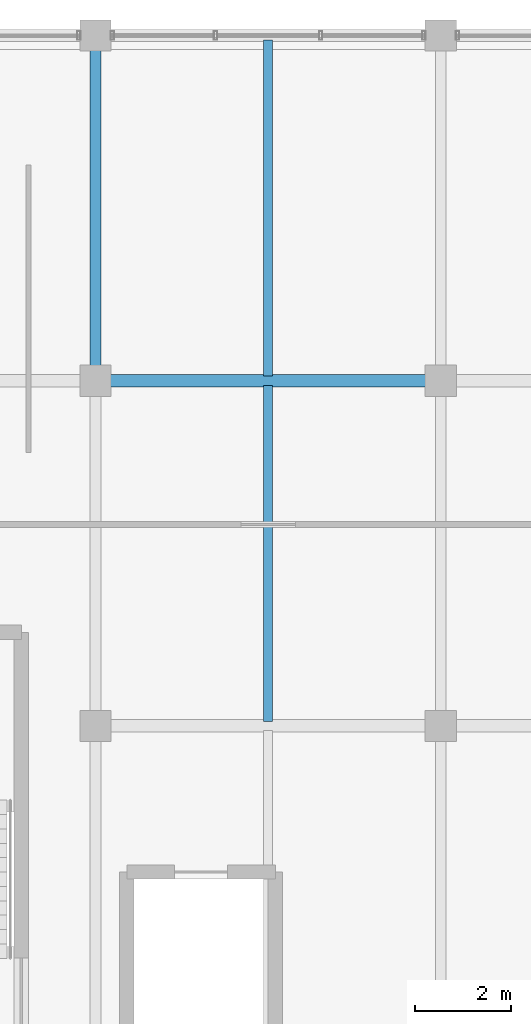
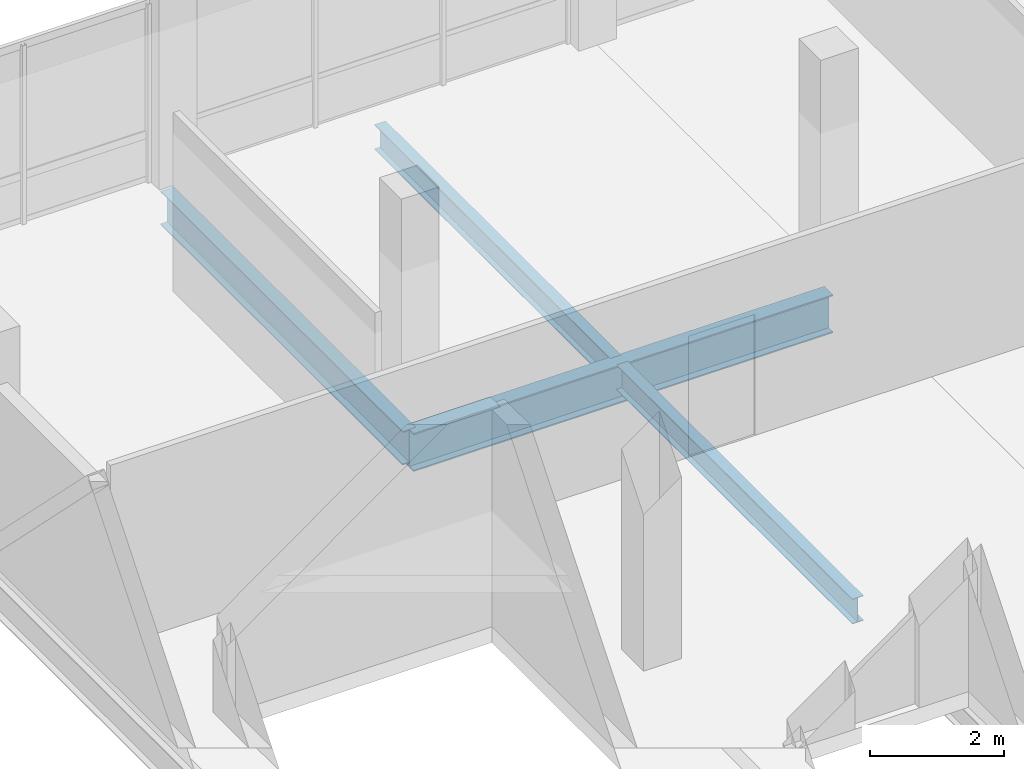
# One storey, part 50 of 102: 4 beams.
"""IFC4 building model written with IfcOpenShell, lengths in metres."""

from ifc_helpers import new_model, si_unit, direction, frame, origin, origin_2d, place, context, subcontext, project, spatial, i_section, extrude, material, material_profile, profile_set, type_object, element, save


model = new_model("IFC4")

# Units and contexts
model_context = context("Model", 3, precision=1e-05, world=origin(), true_north=direction((0.0, 1.0)))
body_context = subcontext(model_context, "Body", "Model", "MODEL_VIEW")
ifc_project = project(units=[si_unit("LENGTHUNIT", "METRE"), si_unit("AREAUNIT", "SQUARE_METRE"), si_unit("VOLUMEUNIT", "CUBIC_METRE"), si_unit("PLANEANGLEUNIT", "RADIAN"), si_unit("MASSUNIT", "GRAM", prefix="KILO")], contexts=[model_context])

# Site, building, storey
site_placement = place(None, origin())
site = spatial("IfcSite", under=ifc_project, at=site_placement, CompositionType="ELEMENT")
building_placement = place(site_placement, origin())
building = spatial("IfcBuilding", under=site, at=building_placement, Name="Yarey Park Central Fire Station", CompositionType="ELEMENT")
storey_placement = place(building_placement, frame((0.0, 0.0, 6.0)))
storey = spatial("IfcBuildingStorey", under=building, at=storey_placement, Name="L02", CompositionType="ELEMENT", Elevation=6.0)

# Beams
ifc_material = material(Name="Steel ASTM A992 Gr. 50", Category="steel")
ifc_material_profile_1 = material_profile(ifc_material, i_section(OverallWidth=0.22900390625, OverallDepth=0.612060546875, WebThickness=0.011962890625, FlangeThickness=0.01953125, at=origin_2d()), Name="W610x125")
ifc_profile_set_1 = profile_set([ifc_material_profile_1], Name="Steel ASTM A992 Gr. 50")
beam_type_1 = type_object("IfcBeamType", Name="STR_BM_W610", PredefinedType="BEAM", material=ifc_profile_set_1)
beam_1_placement = place(storey_placement, frame((122.39990234375, 108.0, -0.591064453125), z_axis=(0.0, 1.0, 0.0), x_axis=(-1.0, 0.0, 0.0)))
element("IfcBeam", 1, at=beam_1_placement, inside=storey, type_object=beam_type_1, Name="BMY L02 X1224 Y1080", PredefinedType="BEAM", context=body_context, shape_type="SweptSolid", body=[
    extrude(i_section(OverallWidth=0.22900390625, OverallDepth=0.612060546875, WebThickness=0.011962890625, FlangeThickness=0.01953125, at=origin_2d()), origin(), (0.0, 0.0, 1.0), 7.199951171875),
])
ifc_material_profile_2 = material_profile(ifc_material, i_section(OverallWidth=0.256103515625, OverallDepth=0.693115234375, WebThickness=0.014404296875, FlangeThickness=0.023681640625, at=origin_2d()), Name="W690x170")
ifc_profile_set_2 = profile_set([ifc_material_profile_2], Name="Steel ASTM A992 Gr. 50")
beam_type_2 = type_object("IfcBeamType", Name="STR_BM_W690", PredefinedType="BEAM", material=ifc_profile_set_2)
beam_2_placement = place(storey_placement, frame((122.39990234375, 108.0, -0.631591796875), z_axis=(1.0, 0.0, 0.0), x_axis=(0.0, 1.0, 0.0)))
element("IfcBeam", 2, at=beam_2_placement, inside=storey, type_object=beam_type_2, Name="BMX L02 Y1080 X1224", PredefinedType="BEAM", context=body_context, shape_type="SweptSolid", body=[
    extrude(i_section(OverallWidth=0.256103515625, OverallDepth=0.693115234375, WebThickness=0.014404296875, FlangeThickness=0.023681640625, at=origin_2d()), origin(), (0.0, 0.0, 1.0), 7.2001953125),
])
ifc_material_profile_3 = material_profile(ifc_material, i_section(OverallWidth=0.18994140625, OverallDepth=0.45703125, WebThickness=0.009033203125, FlangeThickness=0.014404296875, at=origin_2d()), Name="W460x74")
ifc_profile_set_3 = profile_set([ifc_material_profile_3], Name="Steel ASTM A992 Gr. 50")
beam_type_3 = type_object("IfcBeamType", Name="STR_JST_W460", PredefinedType="JOIST", material=ifc_profile_set_3)
for number, where, z_axis, x_axis, name in (
    (3, (126.0, 100.89501953125, -0.513427734375), (0.0, 1.0, 0.0), (-1.0, 0.0, 0.0), "JST L02 X1260 Y1008"),
    (4, (126.0, 108.094970703125, -0.513427734375), (0.0, 1.0, 0.0), (-1.0, 0.0, 0.0), "JST L02 X1260 Y1080"),
):
    element("IfcBeam", number, at=place(storey_placement, frame(where, z_axis=z_axis, x_axis=x_axis)), inside=storey, type_object=beam_type_3, Name=name, PredefinedType="JOIST", context=body_context, shape_type="SweptSolid", body=[
        extrude(i_section(OverallWidth=0.18994140625, OverallDepth=0.45703125, WebThickness=0.009033203125, FlangeThickness=0.014404296875, at=origin_2d()), origin(), (0.0, 0.0, 1.0), 7.010009765625),
    ])

save(model, "model.ifc")
